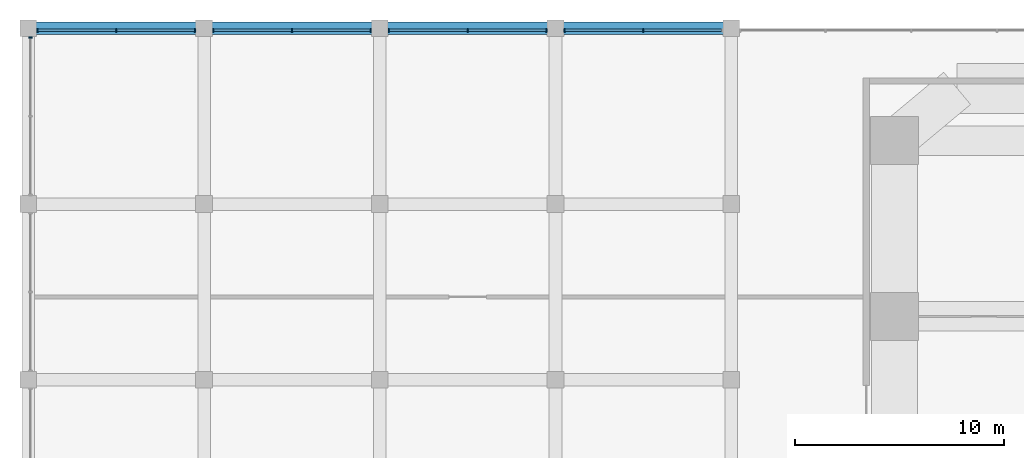
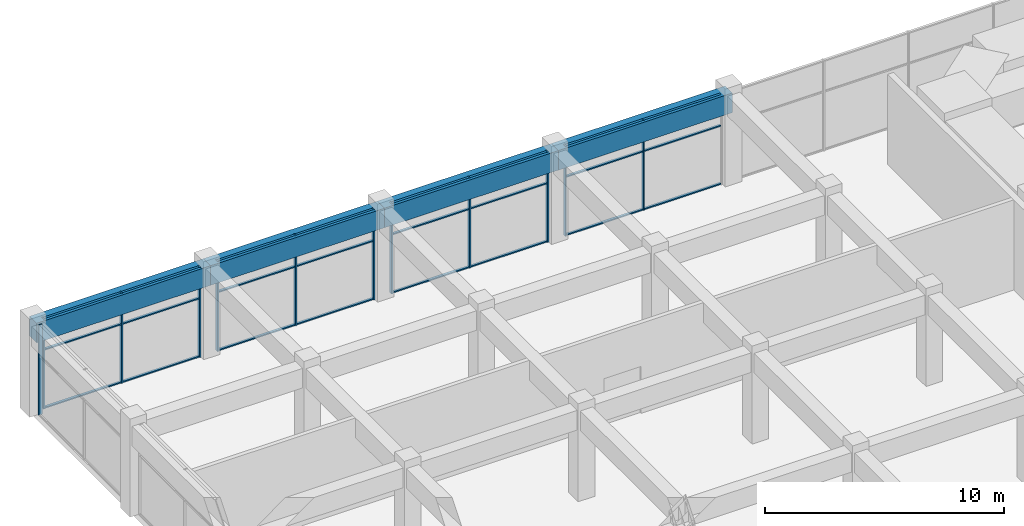
# One storey, part 19 of 33: 36 members, 4 beams, 5 elements without a shape of their own.
"""IFC4 building model written with IfcOpenShell, lengths in metres."""

from ifc_helpers import new_model, si_unit, direction, frame, origin, origin_2d, place, context, subcontext, project, spatial, rectangle, extrude, material, material_profile, profile_set, type_object, element, aggregate, save


model = new_model("IFC4")

# Units and contexts
model_context = context("Model", 3, precision=1e-05, world=origin(), true_north=direction((0.0, 1.0)))
body_context = subcontext(model_context, "Body", "Model", "MODEL_VIEW")
ifc_project = project(units=[si_unit("LENGTHUNIT", "METRE"), si_unit("AREAUNIT", "SQUARE_METRE"), si_unit("VOLUMEUNIT", "CUBIC_METRE"), si_unit("PLANEANGLEUNIT", "RADIAN"), si_unit("MASSUNIT", "GRAM", prefix="KILO")], contexts=[model_context])

# Site, building, storey
site_placement = place(None, origin())
site = spatial("IfcSite", under=ifc_project, at=site_placement, CompositionType="ELEMENT")
building_placement = place(site_placement, origin())
building = spatial("IfcBuilding", under=site, at=building_placement, Name="Impinga Residences", CompositionType="ELEMENT")
storey_placement = place(building_placement, frame((0.0, 0.0, 21.0)))
storey = spatial("IfcBuildingStorey", under=building, at=storey_placement, Name="L04", CompositionType="ELEMENT", Elevation=21.0)

# Curtain wall, member
ifc_material_1 = material(Name="Aluminium stick curtain wall", Category="aluminium")
curtain_wall_type = type_object("IfcCurtainWallType", Name="CW1 podium amenity curtain wall", PredefinedType="USERDEFINED", material=ifc_material_1)
curtain_wall_1_placement = place(storey_placement, origin())
curtain_wall_1 = element("IfcCurtainWall", 1, at=curtain_wall_1_placement, inside=storey, type_object=curtain_wall_type, Name="Curtain wall CW1 L04", ObjectType="STICK CURTAIN WALL", PredefinedType="USERDEFINED")
ifc_material_2 = material(Name="Aluminium mullion", Category="aluminium")
ifc_material_profile_1 = material_profile(ifc_material_2, rectangle(XDim=0.06005859375, YDim=0.179931640625, at=origin_2d()), Name="60x180 mullion")
ifc_profile_set_1 = profile_set([ifc_material_profile_1], Name="Aluminium mullion")
member_type_1 = type_object("IfcMemberType", Name="CW1-M mullion 60x180", PredefinedType="MULLION", material=ifc_profile_set_1)
member_1_placement = place(storey_placement, frame((-50.300048828125, 49.967041015625, 0.0), z_axis=(0.0, 0.0, 1.0), x_axis=(0.0, 1.0, 0.0)))
member_1 = element("IfcMember", 2, at=member_1_placement, type_object=member_type_1, Name="CW1 mullion 3", PredefinedType="MULLION", context=body_context, shape_type="SweptSolid", body=[
    extrude(rectangle(XDim=0.06005859375, YDim=0.179931640625, at=origin_2d()), origin(), (0.0, 0.0, 1.0), 4.60009765625),
])
aggregate(curtain_wall_1, [member_1])

# Curtain wall, members
curtain_wall_2_placement = place(storey_placement, origin())
curtain_wall_2 = element("IfcCurtainWall", 3, at=curtain_wall_2_placement, inside=storey, type_object=curtain_wall_type, Name="Curtain wall CW1 L04", ObjectType="STICK CURTAIN WALL", PredefinedType="USERDEFINED")
member_2_placement = place(storey_placement, frame((-49.967041015625, 50.300048828125, 0.0), z_axis=(0.0, 0.0, 1.0), x_axis=(1.0, 0.0, 0.0)))
member_2 = element("IfcMember", 4, at=member_2_placement, type_object=member_type_1, Name="CW1 mullion 1", PredefinedType="MULLION", context=body_context, shape_type="SweptSolid", body=[
    extrude(rectangle(XDim=0.06005859375, YDim=0.179931640625, at=origin_2d()), origin(), (0.0, 0.0, 1.0), 4.60009765625),
])
member_3_placement = place(storey_placement, frame((-46.199951171875, 50.300048828125, 0.0), z_axis=(0.0, 0.0, 1.0), x_axis=(1.0, 0.0, 0.0)))
member_3 = element("IfcMember", 5, at=member_3_placement, type_object=member_type_1, Name="CW1 mullion 2", PredefinedType="MULLION", context=body_context, shape_type="SweptSolid", body=[
    extrude(rectangle(XDim=0.06005859375, YDim=0.179931640625, at=origin_2d()), origin(), (0.0, 0.0, 1.0), 4.60009765625),
])
member_4_placement = place(storey_placement, frame((-42.43310546875, 50.300048828125, 0.0), z_axis=(0.0, 0.0, 1.0), x_axis=(1.0, 0.0, 0.0)))
member_4 = element("IfcMember", 6, at=member_4_placement, type_object=member_type_1, Name="CW1 mullion 3", PredefinedType="MULLION", context=body_context, shape_type="SweptSolid", body=[
    extrude(rectangle(XDim=0.06005859375, YDim=0.179931640625, at=origin_2d()), origin(), (0.0, 0.0, 1.0), 4.60009765625),
])

curtain_wall_3_placement = place(storey_placement, origin())
curtain_wall_3 = element("IfcCurtainWall", 7, at=curtain_wall_3_placement, inside=storey, type_object=curtain_wall_type, Name="Curtain wall CW1 L04", ObjectType="STICK CURTAIN WALL", PredefinedType="USERDEFINED")
member_5_placement = place(storey_placement, frame((-41.56689453125, 50.300048828125, 0.0), z_axis=(0.0, 0.0, 1.0), x_axis=(1.0, 0.0, 0.0)))
member_5 = element("IfcMember", 8, at=member_5_placement, type_object=member_type_1, Name="CW1 mullion 1", PredefinedType="MULLION", context=body_context, shape_type="SweptSolid", body=[
    extrude(rectangle(XDim=0.06005859375, YDim=0.179931640625, at=origin_2d()), origin(), (0.0, 0.0, 1.0), 4.60009765625),
])
member_6_placement = place(storey_placement, frame((-37.800048828125, 50.300048828125, 0.0), z_axis=(0.0, 0.0, 1.0), x_axis=(1.0, 0.0, 0.0)))
member_6 = element("IfcMember", 9, at=member_6_placement, type_object=member_type_1, Name="CW1 mullion 2", PredefinedType="MULLION", context=body_context, shape_type="SweptSolid", body=[
    extrude(rectangle(XDim=0.06005859375, YDim=0.179931640625, at=origin_2d()), origin(), (0.0, 0.0, 1.0), 4.60009765625),
])
member_7_placement = place(storey_placement, frame((-34.032958984375, 50.300048828125, 0.0), z_axis=(0.0, 0.0, 1.0), x_axis=(1.0, 0.0, 0.0)))
member_7 = element("IfcMember", 10, at=member_7_placement, type_object=member_type_1, Name="CW1 mullion 3", PredefinedType="MULLION", context=body_context, shape_type="SweptSolid", body=[
    extrude(rectangle(XDim=0.06005859375, YDim=0.179931640625, at=origin_2d()), origin(), (0.0, 0.0, 1.0), 4.60009765625),
])

curtain_wall_4_placement = place(storey_placement, origin())
curtain_wall_4 = element("IfcCurtainWall", 11, at=curtain_wall_4_placement, inside=storey, type_object=curtain_wall_type, Name="Curtain wall CW1 L04", ObjectType="STICK CURTAIN WALL", PredefinedType="USERDEFINED")
member_8_placement = place(storey_placement, frame((-33.1669921875, 50.300048828125, 0.0), z_axis=(0.0, 0.0, 1.0), x_axis=(1.0, 0.0, 0.0)))
member_8 = element("IfcMember", 12, at=member_8_placement, type_object=member_type_1, Name="CW1 mullion 1", PredefinedType="MULLION", context=body_context, shape_type="SweptSolid", body=[
    extrude(rectangle(XDim=0.06005859375, YDim=0.179931640625, at=origin_2d()), origin(), (0.0, 0.0, 1.0), 4.60009765625),
])
member_9_placement = place(storey_placement, frame((-29.39990234375, 50.300048828125, 0.0), z_axis=(0.0, 0.0, 1.0), x_axis=(1.0, 0.0, 0.0)))
member_9 = element("IfcMember", 13, at=member_9_placement, type_object=member_type_1, Name="CW1 mullion 2", PredefinedType="MULLION", context=body_context, shape_type="SweptSolid", body=[
    extrude(rectangle(XDim=0.06005859375, YDim=0.179931640625, at=origin_2d()), origin(), (0.0, 0.0, 1.0), 4.60009765625),
])
member_10_placement = place(storey_placement, frame((-25.633056640625, 50.300048828125, 0.0), z_axis=(0.0, 0.0, 1.0), x_axis=(1.0, 0.0, 0.0)))
member_10 = element("IfcMember", 14, at=member_10_placement, type_object=member_type_1, Name="CW1 mullion 3", PredefinedType="MULLION", context=body_context, shape_type="SweptSolid", body=[
    extrude(rectangle(XDim=0.06005859375, YDim=0.179931640625, at=origin_2d()), origin(), (0.0, 0.0, 1.0), 4.60009765625),
])

curtain_wall_5_placement = place(storey_placement, origin())
curtain_wall_5 = element("IfcCurtainWall", 15, at=curtain_wall_5_placement, inside=storey, type_object=curtain_wall_type, Name="Curtain wall CW1 L04", ObjectType="STICK CURTAIN WALL", PredefinedType="USERDEFINED")
member_11_placement = place(storey_placement, frame((-24.76708984375, 50.300048828125, 0.0), z_axis=(0.0, 0.0, 1.0), x_axis=(1.0, 0.0, 0.0)))
member_11 = element("IfcMember", 16, at=member_11_placement, type_object=member_type_1, Name="CW1 mullion 1", PredefinedType="MULLION", context=body_context, shape_type="SweptSolid", body=[
    extrude(rectangle(XDim=0.06005859375, YDim=0.179931640625, at=origin_2d()), origin(), (0.0, 0.0, 1.0), 4.60009765625),
])
member_12_placement = place(storey_placement, frame((-21.0, 50.300048828125, 0.0), z_axis=(0.0, 0.0, 1.0), x_axis=(1.0, 0.0, 0.0)))
member_12 = element("IfcMember", 17, at=member_12_placement, type_object=member_type_1, Name="CW1 mullion 2", PredefinedType="MULLION", context=body_context, shape_type="SweptSolid", body=[
    extrude(rectangle(XDim=0.06005859375, YDim=0.179931640625, at=origin_2d()), origin(), (0.0, 0.0, 1.0), 4.60009765625),
])

# Member
ifc_material_3 = material(Name="Aluminium transom", Category="aluminium")
ifc_material_profile_2 = material_profile(ifc_material_3, rectangle(XDim=0.06005859375, YDim=0.1201171875, at=origin_2d()), Name="60x120 transom")
ifc_profile_set_2 = profile_set([ifc_material_profile_2], Name="Aluminium transom")
member_type_2 = type_object("IfcMemberType", Name="CW1-T transom 60x120", PredefinedType="USERDEFINED", material=ifc_profile_set_2)
member_13_placement = place(storey_placement, frame((-49.93701171875, 50.300048828125, 0.030029296875), z_axis=(1.0, 0.0, 0.0), x_axis=(0.0, 0.0, 1.0)))
member_13 = element("IfcMember", 18, at=member_13_placement, type_object=member_type_2, Name="CW1 transom 1.1", ObjectType="TRANSOM", PredefinedType="USERDEFINED", context=body_context, shape_type="SweptSolid", body=[
    extrude(rectangle(XDim=0.06005859375, YDim=0.1201171875, at=origin_2d()), origin(), (0.0, 0.0, 1.0), 3.70703125),
])

member_14_placement = place(storey_placement, frame((-49.93701171875, 50.300048828125, 3.0), z_axis=(1.0, 0.0, 0.0), x_axis=(0.0, 0.0, 1.0)))
member_14 = element("IfcMember", 19, at=member_14_placement, type_object=member_type_2, Name="CW1 transom 1.2", ObjectType="TRANSOM", PredefinedType="USERDEFINED", context=body_context, shape_type="SweptSolid", body=[
    extrude(rectangle(XDim=0.06005859375, YDim=0.1201171875, at=origin_2d()), origin(), (0.0, 0.0, 1.0), 3.70703125),
])

member_15_placement = place(storey_placement, frame((-49.93701171875, 50.300048828125, 4.570068359375), z_axis=(1.0, 0.0, 0.0), x_axis=(0.0, 0.0, 1.0)))
member_15 = element("IfcMember", 20, at=member_15_placement, type_object=member_type_2, Name="CW1 transom 1.3", ObjectType="TRANSOM", PredefinedType="USERDEFINED", context=body_context, shape_type="SweptSolid", body=[
    extrude(rectangle(XDim=0.06005859375, YDim=0.1201171875, at=origin_2d()), origin(), (0.0, 0.0, 1.0), 3.70703125),
])

member_16_placement = place(storey_placement, frame((-46.169921875, 50.300048828125, 0.030029296875), z_axis=(1.0, 0.0, 0.0), x_axis=(0.0, 0.0, 1.0)))
member_16 = element("IfcMember", 21, at=member_16_placement, type_object=member_type_2, Name="CW1 transom 2.1", ObjectType="TRANSOM", PredefinedType="USERDEFINED", context=body_context, shape_type="SweptSolid", body=[
    extrude(rectangle(XDim=0.06005859375, YDim=0.1201171875, at=origin_2d()), origin(), (0.0, 0.0, 1.0), 3.70703125),
])

member_17_placement = place(storey_placement, frame((-46.169921875, 50.300048828125, 3.0), z_axis=(1.0, 0.0, 0.0), x_axis=(0.0, 0.0, 1.0)))
member_17 = element("IfcMember", 22, at=member_17_placement, type_object=member_type_2, Name="CW1 transom 2.2", ObjectType="TRANSOM", PredefinedType="USERDEFINED", context=body_context, shape_type="SweptSolid", body=[
    extrude(rectangle(XDim=0.06005859375, YDim=0.1201171875, at=origin_2d()), origin(), (0.0, 0.0, 1.0), 3.70703125),
])

member_18_placement = place(storey_placement, frame((-46.169921875, 50.300048828125, 4.570068359375), z_axis=(1.0, 0.0, 0.0), x_axis=(0.0, 0.0, 1.0)))
member_18 = element("IfcMember", 23, at=member_18_placement, type_object=member_type_2, Name="CW1 transom 2.3", ObjectType="TRANSOM", PredefinedType="USERDEFINED", context=body_context, shape_type="SweptSolid", body=[
    extrude(rectangle(XDim=0.06005859375, YDim=0.1201171875, at=origin_2d()), origin(), (0.0, 0.0, 1.0), 3.70703125),
])

aggregate(curtain_wall_2, [member_2, member_3, member_4, member_13, member_14, member_15, member_16, member_17, member_18])

member_19_placement = place(storey_placement, frame((-41.537109375, 50.300048828125, 0.030029296875), z_axis=(1.0, 0.0, 0.0), x_axis=(0.0, 0.0, 1.0)))
member_19 = element("IfcMember", 24, at=member_19_placement, type_object=member_type_2, Name="CW1 transom 1.1", ObjectType="TRANSOM", PredefinedType="USERDEFINED", context=body_context, shape_type="SweptSolid", body=[
    extrude(rectangle(XDim=0.06005859375, YDim=0.1201171875, at=origin_2d()), origin(), (0.0, 0.0, 1.0), 3.70703125),
])

member_20_placement = place(storey_placement, frame((-41.537109375, 50.300048828125, 3.0), z_axis=(1.0, 0.0, 0.0), x_axis=(0.0, 0.0, 1.0)))
member_20 = element("IfcMember", 25, at=member_20_placement, type_object=member_type_2, Name="CW1 transom 1.2", ObjectType="TRANSOM", PredefinedType="USERDEFINED", context=body_context, shape_type="SweptSolid", body=[
    extrude(rectangle(XDim=0.06005859375, YDim=0.1201171875, at=origin_2d()), origin(), (0.0, 0.0, 1.0), 3.70703125),
])

member_21_placement = place(storey_placement, frame((-41.537109375, 50.300048828125, 4.570068359375), z_axis=(1.0, 0.0, 0.0), x_axis=(0.0, 0.0, 1.0)))
member_21 = element("IfcMember", 26, at=member_21_placement, type_object=member_type_2, Name="CW1 transom 1.3", ObjectType="TRANSOM", PredefinedType="USERDEFINED", context=body_context, shape_type="SweptSolid", body=[
    extrude(rectangle(XDim=0.06005859375, YDim=0.1201171875, at=origin_2d()), origin(), (0.0, 0.0, 1.0), 3.70703125),
])

member_22_placement = place(storey_placement, frame((-37.77001953125, 50.300048828125, 0.030029296875), z_axis=(1.0, 0.0, 0.0), x_axis=(0.0, 0.0, 1.0)))
member_22 = element("IfcMember", 27, at=member_22_placement, type_object=member_type_2, Name="CW1 transom 2.1", ObjectType="TRANSOM", PredefinedType="USERDEFINED", context=body_context, shape_type="SweptSolid", body=[
    extrude(rectangle(XDim=0.06005859375, YDim=0.1201171875, at=origin_2d()), origin(), (0.0, 0.0, 1.0), 3.70703125),
])

member_23_placement = place(storey_placement, frame((-37.77001953125, 50.300048828125, 3.0), z_axis=(1.0, 0.0, 0.0), x_axis=(0.0, 0.0, 1.0)))
member_23 = element("IfcMember", 28, at=member_23_placement, type_object=member_type_2, Name="CW1 transom 2.2", ObjectType="TRANSOM", PredefinedType="USERDEFINED", context=body_context, shape_type="SweptSolid", body=[
    extrude(rectangle(XDim=0.06005859375, YDim=0.1201171875, at=origin_2d()), origin(), (0.0, 0.0, 1.0), 3.70703125),
])

member_24_placement = place(storey_placement, frame((-37.77001953125, 50.300048828125, 4.570068359375), z_axis=(1.0, 0.0, 0.0), x_axis=(0.0, 0.0, 1.0)))
member_24 = element("IfcMember", 29, at=member_24_placement, type_object=member_type_2, Name="CW1 transom 2.3", ObjectType="TRANSOM", PredefinedType="USERDEFINED", context=body_context, shape_type="SweptSolid", body=[
    extrude(rectangle(XDim=0.06005859375, YDim=0.1201171875, at=origin_2d()), origin(), (0.0, 0.0, 1.0), 3.70703125),
])

aggregate(curtain_wall_3, [member_5, member_6, member_7, member_19, member_20, member_21, member_22, member_23, member_24])

member_25_placement = place(storey_placement, frame((-33.136962890625, 50.300048828125, 0.030029296875), z_axis=(1.0, 0.0, 0.0), x_axis=(0.0, 0.0, 1.0)))
member_25 = element("IfcMember", 30, at=member_25_placement, type_object=member_type_2, Name="CW1 transom 1.1", ObjectType="TRANSOM", PredefinedType="USERDEFINED", context=body_context, shape_type="SweptSolid", body=[
    extrude(rectangle(XDim=0.06005859375, YDim=0.1201171875, at=origin_2d()), origin(), (0.0, 0.0, 1.0), 3.70703125),
])

member_26_placement = place(storey_placement, frame((-33.136962890625, 50.300048828125, 3.0), z_axis=(1.0, 0.0, 0.0), x_axis=(0.0, 0.0, 1.0)))
member_26 = element("IfcMember", 31, at=member_26_placement, type_object=member_type_2, Name="CW1 transom 1.2", ObjectType="TRANSOM", PredefinedType="USERDEFINED", context=body_context, shape_type="SweptSolid", body=[
    extrude(rectangle(XDim=0.06005859375, YDim=0.1201171875, at=origin_2d()), origin(), (0.0, 0.0, 1.0), 3.70703125),
])

member_27_placement = place(storey_placement, frame((-33.136962890625, 50.300048828125, 4.570068359375), z_axis=(1.0, 0.0, 0.0), x_axis=(0.0, 0.0, 1.0)))
member_27 = element("IfcMember", 32, at=member_27_placement, type_object=member_type_2, Name="CW1 transom 1.3", ObjectType="TRANSOM", PredefinedType="USERDEFINED", context=body_context, shape_type="SweptSolid", body=[
    extrude(rectangle(XDim=0.06005859375, YDim=0.1201171875, at=origin_2d()), origin(), (0.0, 0.0, 1.0), 3.70703125),
])

member_28_placement = place(storey_placement, frame((-29.3701171875, 50.300048828125, 0.030029296875), z_axis=(1.0, 0.0, 0.0), x_axis=(0.0, 0.0, 1.0)))
member_28 = element("IfcMember", 33, at=member_28_placement, type_object=member_type_2, Name="CW1 transom 2.1", ObjectType="TRANSOM", PredefinedType="USERDEFINED", context=body_context, shape_type="SweptSolid", body=[
    extrude(rectangle(XDim=0.06005859375, YDim=0.1201171875, at=origin_2d()), origin(), (0.0, 0.0, 1.0), 3.70703125),
])

member_29_placement = place(storey_placement, frame((-29.3701171875, 50.300048828125, 3.0), z_axis=(1.0, 0.0, 0.0), x_axis=(0.0, 0.0, 1.0)))
member_29 = element("IfcMember", 34, at=member_29_placement, type_object=member_type_2, Name="CW1 transom 2.2", ObjectType="TRANSOM", PredefinedType="USERDEFINED", context=body_context, shape_type="SweptSolid", body=[
    extrude(rectangle(XDim=0.06005859375, YDim=0.1201171875, at=origin_2d()), origin(), (0.0, 0.0, 1.0), 3.70703125),
])

member_30_placement = place(storey_placement, frame((-29.3701171875, 50.300048828125, 4.570068359375), z_axis=(1.0, 0.0, 0.0), x_axis=(0.0, 0.0, 1.0)))
member_30 = element("IfcMember", 35, at=member_30_placement, type_object=member_type_2, Name="CW1 transom 2.3", ObjectType="TRANSOM", PredefinedType="USERDEFINED", context=body_context, shape_type="SweptSolid", body=[
    extrude(rectangle(XDim=0.06005859375, YDim=0.1201171875, at=origin_2d()), origin(), (0.0, 0.0, 1.0), 3.70703125),
])

aggregate(curtain_wall_4, [member_8, member_9, member_10, member_25, member_26, member_27, member_28, member_29, member_30])

member_31_placement = place(storey_placement, frame((-24.737060546875, 50.300048828125, 0.030029296875), z_axis=(1.0, 0.0, 0.0), x_axis=(0.0, 0.0, 1.0)))
member_31 = element("IfcMember", 36, at=member_31_placement, type_object=member_type_2, Name="CW1 transom 1.1", ObjectType="TRANSOM", PredefinedType="USERDEFINED", context=body_context, shape_type="SweptSolid", body=[
    extrude(rectangle(XDim=0.06005859375, YDim=0.1201171875, at=origin_2d()), origin(), (0.0, 0.0, 1.0), 3.70703125),
])

member_32_placement = place(storey_placement, frame((-24.737060546875, 50.300048828125, 3.0), z_axis=(1.0, 0.0, 0.0), x_axis=(0.0, 0.0, 1.0)))
member_32 = element("IfcMember", 37, at=member_32_placement, type_object=member_type_2, Name="CW1 transom 1.2", ObjectType="TRANSOM", PredefinedType="USERDEFINED", context=body_context, shape_type="SweptSolid", body=[
    extrude(rectangle(XDim=0.06005859375, YDim=0.1201171875, at=origin_2d()), origin(), (0.0, 0.0, 1.0), 3.70703125),
])

member_33_placement = place(storey_placement, frame((-24.737060546875, 50.300048828125, 4.570068359375), z_axis=(1.0, 0.0, 0.0), x_axis=(0.0, 0.0, 1.0)))
member_33 = element("IfcMember", 38, at=member_33_placement, type_object=member_type_2, Name="CW1 transom 1.3", ObjectType="TRANSOM", PredefinedType="USERDEFINED", context=body_context, shape_type="SweptSolid", body=[
    extrude(rectangle(XDim=0.06005859375, YDim=0.1201171875, at=origin_2d()), origin(), (0.0, 0.0, 1.0), 3.70703125),
])

member_34_placement = place(storey_placement, frame((-20.969970703125, 50.300048828125, 0.030029296875), z_axis=(1.0, 0.0, 0.0), x_axis=(0.0, 0.0, 1.0)))
member_34 = element("IfcMember", 39, at=member_34_placement, type_object=member_type_2, Name="CW1 transom 2.1", ObjectType="TRANSOM", PredefinedType="USERDEFINED", context=body_context, shape_type="SweptSolid", body=[
    extrude(rectangle(XDim=0.06005859375, YDim=0.1201171875, at=origin_2d()), origin(), (0.0, 0.0, 1.0), 3.70703125),
])

member_35_placement = place(storey_placement, frame((-20.969970703125, 50.300048828125, 3.0), z_axis=(1.0, 0.0, 0.0), x_axis=(0.0, 0.0, 1.0)))
member_35 = element("IfcMember", 40, at=member_35_placement, type_object=member_type_2, Name="CW1 transom 2.2", ObjectType="TRANSOM", PredefinedType="USERDEFINED", context=body_context, shape_type="SweptSolid", body=[
    extrude(rectangle(XDim=0.06005859375, YDim=0.1201171875, at=origin_2d()), origin(), (0.0, 0.0, 1.0), 3.70703125),
])

member_36_placement = place(storey_placement, frame((-20.969970703125, 50.300048828125, 4.570068359375), z_axis=(1.0, 0.0, 0.0), x_axis=(0.0, 0.0, 1.0)))
member_36 = element("IfcMember", 41, at=member_36_placement, type_object=member_type_2, Name="CW1 transom 2.3", ObjectType="TRANSOM", PredefinedType="USERDEFINED", context=body_context, shape_type="SweptSolid", body=[
    extrude(rectangle(XDim=0.06005859375, YDim=0.1201171875, at=origin_2d()), origin(), (0.0, 0.0, 1.0), 3.70703125),
])

aggregate(curtain_wall_5, [member_11, member_12, member_31, member_32, member_33, member_34, member_35, member_36])

# Beams
ifc_material_4 = material(Name="Concrete C60/75", Category="concrete")
ifc_material_profile_3 = material_profile(ifc_material_4, rectangle(XDim=0.60009765625, YDim=1.0, at=origin_2d()), Name="RC 600x1000")
ifc_profile_set_3 = profile_set([ifc_material_profile_3], Name="Concrete C60/75")
beam_type = type_object("IfcBeamType", Name="PB2 600x1000 podium beam", PredefinedType="BEAM", material=ifc_profile_set_3)
for number, where, z_axis, x_axis, name in (
    (42, (-50.39990234375, 50.39990234375, 4.10009765625), (1.0, 0.0, 0.0), (0.0, 1.0, 0.0), "Beam PB2 M/1-2 level L05"),
    (43, (-42.0, 50.39990234375, 4.10009765625), (1.0, 0.0, 0.0), (0.0, 1.0, 0.0), "Beam PB2 M/2-3 level L05"),
):
    element("IfcBeam", number, at=place(storey_placement, frame(where, z_axis=z_axis, x_axis=x_axis)), inside=storey, type_object=beam_type, Name=name, PredefinedType="BEAM", context=body_context, shape_type="SweptSolid", body=[
        extrude(rectangle(XDim=0.60009765625, YDim=1.0, at=origin_2d()), origin(), (0.0, 0.0, 1.0), 8.39990234375),
    ])
beam_1_placement = place(storey_placement, frame((-33.60009765625, 50.39990234375, 4.10009765625), z_axis=(1.0, 0.0, 0.0), x_axis=(0.0, 1.0, 0.0)))
element("IfcBeam", 44, at=beam_1_placement, inside=storey, type_object=beam_type, Name="Beam PB2 M/3-4 level L05", PredefinedType="BEAM", context=body_context, shape_type="SweptSolid", body=[
    extrude(rectangle(XDim=0.60009765625, YDim=1.0, at=origin_2d()), origin(), (0.0, 0.0, 1.0), 8.400146484375),
])
beam_2_placement = place(storey_placement, frame((-25.199951171875, 50.39990234375, 4.10009765625), z_axis=(1.0, 0.0, 0.0), x_axis=(0.0, 1.0, 0.0)))
element("IfcBeam", 45, at=beam_2_placement, inside=storey, type_object=beam_type, Name="Beam PB2 M/4-5 level L05", PredefinedType="BEAM", context=body_context, shape_type="SweptSolid", body=[
    extrude(rectangle(XDim=0.60009765625, YDim=1.0, at=origin_2d()), origin(), (0.0, 0.0, 1.0), 8.39990234375),
])

save(model, "model.ifc")
